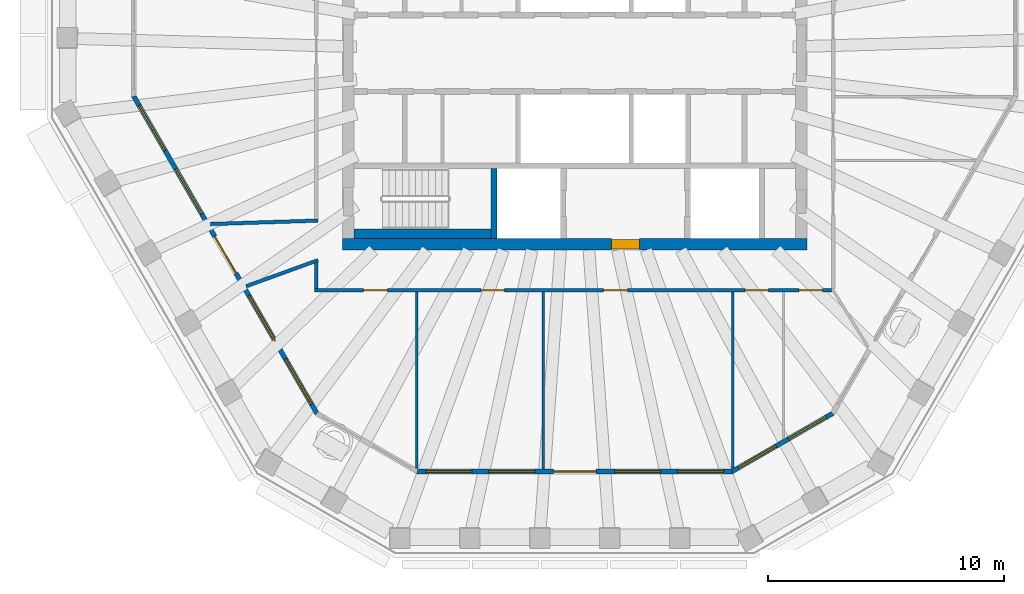
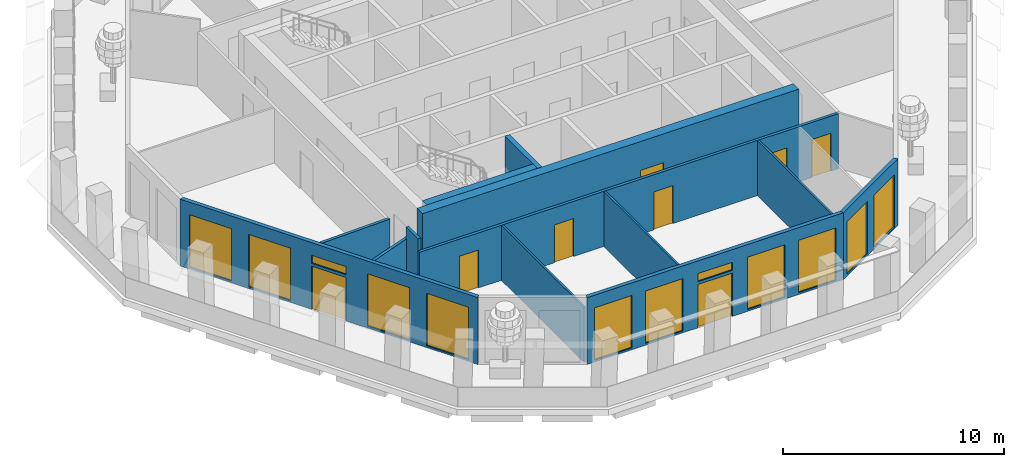
# One storey, part 3 of 11: 13 walls, 12 windows, 8 doors, 20 openings.
"""IFC4 building model written with IfcOpenShell, lengths in metres."""

import ifcopenshell
import ifcopenshell.guid

model = None  # the IFC model being written
_history = None  # IfcOwnerHistory: only IFC2X3 demands one
_inside = {}  # id of a spatial element -> (the spatial element, [elements in it])
_under = {}  # id of a project, library or spatial element -> (it, [spatial elements below it])
_declared = {}  # id of a project -> (the project, [libraries it declares])
_typed = {}  # id of a type object -> (the type object, [elements of that type])
_made_of = {}  # id of a material, layer set ... -> (it, [elements and type objects made of it])


def new_model(schema):
    """Start an empty IFC model of exactly this schema.

    Asked for "IFC4X3", IfcOpenShell would pick the latest addendum, in which some entities
    have other attributes; the version numbers below select the first issue.
    IFC2X3 requires an IfcOwnerHistory on every rooted entity: one is made here for all.
    """
    global model, _history
    if schema == "IFC4X3":
        model = ifcopenshell.file(schema_version=(4, 3, 0, 0))
    else:
        model = ifcopenshell.file(schema=schema)
    _inside.clear()
    _under.clear()
    _declared.clear()
    _typed.clear()
    _made_of.clear()
    _history = None
    if model.schema == "IFC2X3":
        org = make("IfcOrganization", Name="unknown")
        user = make(
            "IfcPersonAndOrganization",
            ThePerson=make("IfcPerson", FamilyName="unknown"),
            TheOrganization=org,
        )
        app = make(
            "IfcApplication",
            ApplicationDeveloper=org,
            Version="unknown",
            ApplicationFullName="unknown",
            ApplicationIdentifier="unknown",
        )
        _history = make(
            "IfcOwnerHistory",
            OwningUser=user,
            OwningApplication=app,
            ChangeAction="ADDED",
            CreationDate=0,
        )
    return model


def make(cls, **values):
    """One entity of the class cls with the attributes given. An attribute that is None is left unset."""
    return model.create_entity(
        cls, **{name: value for name, value in values.items() if value is not None}
    )


def rooted(cls, **values):
    """An entity with a GlobalId (a new one), such as an element, a storey or a relation."""
    return make(cls, GlobalId=ifcopenshell.guid.new(), OwnerHistory=_history, **values)


def si_unit(unit_type, name, prefix=None):
    """IfcSIUnit, for example si_unit("LENGTHUNIT", "METRE", prefix="MILLI")."""
    return make("IfcSIUnit", UnitType=unit_type, Prefix=prefix, Name=name)


def assignment(units):
    """IfcUnitAssignment: the units of a project."""
    return None if units is None else make("IfcUnitAssignment", Units=units)


def point(xyz):
    """IfcCartesianPoint."""
    return None if xyz is None else make("IfcCartesianPoint", Coordinates=xyz)


def direction(xyz):
    """IfcDirection."""
    return None if xyz is None else make("IfcDirection", DirectionRatios=xyz)


def frame(location, z_axis=None, x_axis=None):
    """IfcAxis2Placement3D, a coordinate frame: its origin and axes. An axis left out is left unset."""
    return make(
        "IfcAxis2Placement3D",
        Location=point(location),
        Axis=direction(z_axis),
        RefDirection=direction(x_axis),
    )


def frame_2d(location, x_axis=None):
    """IfcAxis2Placement2D, a coordinate frame in the plane: its origin and x axis."""
    return make(
        "IfcAxis2Placement2D", Location=point(location), RefDirection=direction(x_axis)
    )


def origin():
    """The frame at (0, 0, 0) with its axes left unset."""
    return frame((0.0, 0.0, 0.0))


def place(relative_to, where):
    """IfcLocalPlacement: puts the frame where relative to a parent placement (None: the world)."""
    return make(
        "IfcLocalPlacement", PlacementRelTo=relative_to, RelativePlacement=where
    )


def context(
    kind, dimensions, precision=None, world=None, true_north=None, identifier=None
):
    """IfcGeometricRepresentationContext, for example the 3D "Model" context."""
    return make(
        "IfcGeometricRepresentationContext",
        ContextIdentifier=identifier,
        ContextType=kind,
        CoordinateSpaceDimension=dimensions,
        Precision=precision,
        WorldCoordinateSystem=world,
        TrueNorth=true_north,
    )


def subcontext(parent, identifier, kind, view, scale=None):
    """IfcGeometricRepresentationSubContext, for example "Body" below "Model"."""
    return make(
        "IfcGeometricRepresentationSubContext",
        ContextIdentifier=identifier,
        ContextType=kind,
        ParentContext=parent,
        TargetScale=scale,
        TargetView=view,
    )


def project(units=None, contexts=None):
    """IfcProject with its units and contexts."""
    return rooted(
        "IfcProject",
        Name="project",
        RepresentationContexts=contexts,
        UnitsInContext=assignment(units),
    )


def spatial(cls, under=None, at=None, **own):
    """A site, building, storey or space (cls), placed at a placement, below another one or the project."""
    s = rooted(cls, ObjectPlacement=at, **own)
    if under is not None:
        _under.setdefault(under.id(), (under, []))[1].append(s)
    return s


def polyline(points):
    """IfcPolyline through the points."""
    return make("IfcPolyline", Points=[point(p) for p in points])


def profile(cls, at=None, kind="AREA", **sizes):
    """A parametric profile (cls). Its sizes go by their IFC names, for example OverallWidth=200.0."""
    return make(cls, ProfileType=kind, Position=at, **sizes)


def rectangle(**sizes):
    """IfcRectangleProfileDef."""
    return profile("IfcRectangleProfileDef", **sizes)


def outline(outer, holes=None, kind="AREA"):
    """IfcArbitraryClosedProfileDef: a profile drawn as a closed curve; with holes, ...WithVoids."""
    if holes is None:
        return make("IfcArbitraryClosedProfileDef", ProfileType=kind, OuterCurve=outer)
    return make(
        "IfcArbitraryProfileDefWithVoids",
        ProfileType=kind,
        OuterCurve=outer,
        InnerCurves=holes,
    )


def extrude(swept, where, along, depth):
    """IfcExtrudedAreaSolid: the profile swept, set in the frame where, extruded along a direction by depth."""
    return make(
        "IfcExtrudedAreaSolid",
        SweptArea=swept,
        Position=where,
        ExtrudedDirection=direction(along),
        Depth=depth,
    )


def shape(context_of_items, identifier, shape_type, items):
    """IfcShapeRepresentation: the items that make up one representation, for example the "Body"."""
    return make(
        "IfcShapeRepresentation",
        ContextOfItems=context_of_items,
        RepresentationIdentifier=identifier,
        RepresentationType=shape_type,
        Items=items,
    )


def material(Name=None, Category=None):
    """IfcMaterial."""
    return make("IfcMaterial", Name=Name, Category=Category)


def layer(
    of_material, thickness, ventilated=None, Name=None, Category=None, Priority=None
):
    """IfcMaterialLayer: one layer of a wall or slab, of a material (None: an air gap)."""
    return make(
        "IfcMaterialLayer",
        Material=of_material,
        LayerThickness=thickness,
        IsVentilated=ventilated,
        Name=Name,
        Category=Category,
        Priority=Priority,
    )


def layer_set(layers, Name=None):
    """IfcMaterialLayerSet."""
    return make("IfcMaterialLayerSet", MaterialLayers=layers, LayerSetName=Name)


def made_of(thing, what):
    """Note that an element or type object is made of a material, layer set ...; save() writes the relation."""
    if what is not None:
        _made_of.setdefault(what.id(), (what, []))[1].append(thing)
    return thing


def type_object(cls, material=None, **own):
    """A type object (cls), such as IfcWallType, which elements share."""
    return made_of(rooted(cls, **own), material)


def element(
    cls,
    number,
    at=None,
    inside=None,
    cuts=None,
    type_object=None,
    material=None,
    context=None,
    identifier="Body",
    shape_type=None,
    held_by="IfcProductDefinitionShape",
    body=None,
    shapes=None,
    **own,
):
    """One element of the class cls, such as IfcWall. Its Tag is "e" and its number.

    at: its placement. inside: the storey or other place that contains it. cuts: it is an
    opening in that element (IfcRelVoidsElement). A single representation is given by context,
    identifier, shape_type and body (its items); several are given by shapes. held_by: the class
    of the entity that holds the representations. save() writes the other relations.
    """
    e = rooted(cls, Tag="e%d" % number, ObjectPlacement=at, **own)
    if body is not None:
        shapes = [shape(context, identifier, shape_type, body)]
    if shapes is not None:
        e.Representation = make(held_by, Representations=shapes)
    if inside is not None:
        _inside.setdefault(inside.id(), (inside, []))[1].append(e)
    if cuts is not None:
        rooted(
            "IfcRelVoidsElement", RelatingBuildingElement=cuts, RelatedOpeningElement=e
        )
    if type_object is not None:
        _typed.setdefault(type_object.id(), (type_object, []))[1].append(e)
    return made_of(e, material)


def fill(opening, filler):
    """IfcRelFillsElement: the door or window that sits in an opening."""
    return rooted(
        "IfcRelFillsElement",
        RelatingOpeningElement=opening,
        RelatedBuildingElement=filler,
    )


def aggregate(whole, parts):
    """IfcRelAggregates: a whole, such as a stair, and the parts it consists of."""
    return rooted("IfcRelAggregates", RelatingObject=whole, RelatedObjects=parts)


def save(model, path):
    """Write the relations noted so far, then the file.

    IfcRelAggregates (storeys below a building ...), IfcRelContainedInSpatialStructure (elements
    in a storey), IfcRelDefinesByType, IfcRelAssociatesMaterial and IfcRelDeclares: one each for
    every whole, place, type object, material and project.
    """
    for whole, parts in _under.values():
        aggregate(whole, parts)
    for where, things in _inside.values():
        rooted(
            "IfcRelContainedInSpatialStructure",
            RelatedElements=things,
            RelatingStructure=where,
        )
    for kind, things in _typed.values():
        rooted("IfcRelDefinesByType", RelatedObjects=things, RelatingType=kind)
    for what, things in _made_of.values():
        rooted("IfcRelAssociatesMaterial", RelatedObjects=things, RelatingMaterial=what)
    for by, libraries in _declared.values():
        rooted("IfcRelDeclares", RelatingContext=by, RelatedDefinitions=libraries)
    model.write(path)


model = new_model("IFC4")

# Units and contexts
model_context = context("Model", 3, precision=1e-05, world=origin(), true_north=direction((0.0, 1.0)))
body_context = subcontext(model_context, "Body", "Model", "MODEL_VIEW")
ifc_project = project(units=[si_unit("LENGTHUNIT", "METRE"), si_unit("AREAUNIT", "SQUARE_METRE"), si_unit("VOLUMEUNIT", "CUBIC_METRE"), si_unit("PLANEANGLEUNIT", "RADIAN"), si_unit("MASSUNIT", "GRAM", prefix="KILO")], contexts=[model_context])

# Site, building, storey
site_placement = place(None, origin())
site = spatial("IfcSite", under=ifc_project, at=site_placement, CompositionType="ELEMENT")
building_placement = place(site_placement, origin())
building = spatial("IfcBuilding", under=site, at=building_placement, Name="Frailejon Research Tower", CompositionType="ELEMENT")
storey_placement = place(building_placement, frame((0.0, 0.0, 328.60009765625)))
storey = spatial("IfcBuildingStorey", under=building, at=storey_placement, Name="L73", CompositionType="ELEMENT", Elevation=328.60009765625)

# Wall, opening, door
ifc_material_1 = material(Name="Concrete C50/60", Category="concrete")
ifc_layer_1 = layer(ifc_material_1, 0.5)
ifc_layer_set_1 = layer_set([ifc_layer_1], Name="Core shear wall 500 C50/60")
wall_type_1 = type_object("IfcWallType", Name="Core shear wall 500 C50/60", PredefinedType="SHEAR", material=ifc_layer_set_1)
wall_1_placement = place(storey_placement, frame((-9.85009765625, -8.10009765625, 0.0), z_axis=(0.0, 0.0, 1.0), x_axis=(1.0, 0.0, 0.0)))
wall_1 = element("IfcWall", 1, at=wall_1_placement, inside=storey, type_object=wall_type_1, Name="Core shear wall", PredefinedType="SHEAR", context=body_context, shape_type="SweptSolid", body=[
    extrude(rectangle(XDim=19.7001953125, YDim=0.5, at=frame_2d((9.85009765625, 0.0))), origin(), (0.0, 0.0, 1.0), 3.699951171875),
])
opening_1_placement = place(wall_1_placement, frame((11.39990234375, 0.0, 0.0)))
opening_1 = element("IfcOpeningElement", 2, at=opening_1_placement, cuts=wall_1, Name="Opening D3", PredefinedType="OPENING", context=body_context, shape_type="SweptSolid", body=[
    extrude(rectangle(XDim=1.199951171875, YDim=2.10009765625, at=frame_2d((0.60009765625, 1.050048828125))), frame((0.0, 0.260009765625, 0.0), z_axis=(0.0, -1.0, 0.0), x_axis=(1.0, 0.0, 0.0)), (0.0, 0.0, 1.0), 0.52001953125),
])
ifc_material_2 = material(Name="Steel", Category="steel")
door_type_1 = type_object("IfcDoorType", Name="Firefighting lobby door", OperationType="SINGLE_SWING_LEFT", PredefinedType="DOOR", material=ifc_material_2)
door_1_placement = place(opening_1_placement, origin())
door_1 = element("IfcDoor", 3, at=door_1_placement, inside=storey, type_object=door_type_1, Name="Firefighting lobby door", OperationType="SINGLE_SWING_LEFT", OverallHeight=2.10009765625, OverallWidth=1.199951171875, PredefinedType="DOOR", context=body_context, shape_type="SweptSolid", body=[
    extrude(rectangle(XDim=1.199951171875, YDim=2.10009765625, at=frame_2d((0.60009765625, 1.050048828125))), frame((0.0, 0.199951171875, 0.0), z_axis=(0.0, -1.0, 0.0), x_axis=(1.0, 0.0, 0.0)), (0.0, 0.0, 1.0), 0.39990234375),
])
fill(opening_1, door_1)

# Wall
ifc_material_3 = material(Name="Gypsum board and masonry partition", Category="masonry")
ifc_layer_2 = layer(ifc_material_3, 0.14990234375)
ifc_layer_set_2 = layer_set([ifc_layer_2], Name="Corridor wall EI 60, gypsum on steel studs 150")
wall_type_2 = type_object("IfcWallType", Name="Corridor wall EI 60, gypsum on steel studs 150", PredefinedType="PARTITIONING", material=ifc_layer_set_2)
wall_2_placement = place(storey_placement, frame((-10.949951171875, -9.97509765625, 0.0), z_axis=(0.0, 0.0, 1.0), x_axis=(0.0, 1.0, 0.0)))
element("IfcWall", 4, at=wall_2_placement, inside=storey, type_object=wall_type_2, Name="T:IW:L73:006", PredefinedType="PARTITIONING", context=body_context, shape_type="SweptSolid", body=[
    extrude(rectangle(XDim=1.10009765625, YDim=0.14990234375, at=frame_2d((0.550048828125, 0.0))), origin(), (0.0, 0.0, 1.0), 3.699951171875),
])

# Wall, openings, doors
wall_3_placement = place(storey_placement, frame((-11.02490234375, -10.050048828125, 0.0), z_axis=(0.0, 0.0, 1.0), x_axis=(1.0, 0.0, 0.0)))
wall_3 = element("IfcWall", 5, at=wall_3_placement, inside=storey, type_object=wall_type_2, Name="T:IW:L73:008", PredefinedType="PARTITIONING", context=body_context, shape_type="SweptSolid", body=[
    extrude(rectangle(XDim=21.9248046875, YDim=0.14990234375, at=frame_2d((10.96240234375, 0.0))), origin(), (0.0, 0.0, 1.0), 3.0498046875),
])
opening_2_placement = place(wall_3_placement, frame((2.081787109375, 0.0, 0.0)))
opening_2 = element("IfcOpeningElement", 6, at=opening_2_placement, cuts=wall_3, Name="Opening D2373", PredefinedType="OPENING", context=body_context, shape_type="SweptSolid", body=[
    extrude(rectangle(XDim=1.0, YDim=2.10009765625, at=frame_2d((0.5, 1.050048828125))), frame((0.0, 0.0849609375, 0.0), z_axis=(0.0, -1.0, 0.0), x_axis=(1.0, 0.0, 0.0)), (0.0, 0.0, 1.0), 0.169921875),
])
opening_3_placement = place(wall_3_placement, frame((7.0537109375, 0.0, 0.0)))
opening_3 = element("IfcOpeningElement", 7, at=opening_3_placement, cuts=wall_3, Name="Opening D2374", PredefinedType="OPENING", context=body_context, shape_type="SweptSolid", body=[
    extrude(rectangle(XDim=1.0, YDim=2.10009765625, at=frame_2d((0.5, 1.050048828125))), frame((0.0, 0.0849609375, 0.0), z_axis=(0.0, -1.0, 0.0), x_axis=(1.0, 0.0, 0.0)), (0.0, 0.0, 1.0), 0.169921875),
])
opening_4_placement = place(wall_3_placement, frame((12.254150390625, 0.0, 0.0)))
opening_4 = element("IfcOpeningElement", 8, at=opening_4_placement, cuts=wall_3, Name="Opening D2375", PredefinedType="OPENING", context=body_context, shape_type="SweptSolid", body=[
    extrude(rectangle(XDim=1.0, YDim=2.10009765625, at=frame_2d((0.5, 1.050048828125))), frame((0.0, 0.0849609375, 0.0), z_axis=(0.0, -1.0, 0.0), x_axis=(1.0, 0.0, 0.0)), (0.0, 0.0, 1.0), 0.169921875),
])
opening_5_placement = place(wall_3_placement, frame((18.2333984375, 0.0, 0.0)))
opening_5 = element("IfcOpeningElement", 9, at=opening_5_placement, cuts=wall_3, Name="Opening D2376", PredefinedType="OPENING", context=body_context, shape_type="SweptSolid", body=[
    extrude(rectangle(XDim=1.0, YDim=2.10009765625, at=frame_2d((0.5, 1.050048828125))), frame((0.0, 0.0849609375, 0.0), z_axis=(0.0, -1.0, 0.0), x_axis=(1.0, 0.0, 0.0)), (0.0, 0.0, 1.0), 0.169921875),
])
opening_6_placement = place(wall_3_placement, frame((20.525146484375, 0.0, 0.0)))
opening_6 = element("IfcOpeningElement", 10, at=opening_6_placement, cuts=wall_3, Name="Opening D2377", PredefinedType="OPENING", context=body_context, shape_type="SweptSolid", body=[
    extrude(rectangle(XDim=1.0, YDim=2.10009765625, at=frame_2d((0.5, 1.050048828125))), frame((0.0, 0.0849609375, 0.0), z_axis=(0.0, -1.0, 0.0), x_axis=(1.0, 0.0, 0.0)), (0.0, 0.0, 1.0), 0.169921875),
])
ifc_material_4 = material(Name="Timber door leaf", Category="wood")
door_type_2 = type_object("IfcDoorType", Name="Door single leaf, timber, steel frame 1000", OperationType="NOTDEFINED", PredefinedType="DOOR", material=ifc_material_4)
door_2_placement = place(opening_2_placement, origin())
door_2 = element("IfcDoor", 11, at=door_2_placement, inside=storey, type_object=door_type_2, Name="D2373", OperationType="SINGLE_SWING_RIGHT", OverallHeight=2.10009765625, OverallWidth=1.0, PredefinedType="DOOR", context=body_context, shape_type="SweptSolid", body=[
    extrude(rectangle(XDim=1.0, YDim=2.10009765625, at=frame_2d((0.5, 1.050048828125))), frame((0.0, 0.02490234375, 0.0), z_axis=(0.0, -1.0, 0.0), x_axis=(1.0, 0.0, 0.0)), (0.0, 0.0, 1.0), 0.050048828125),
])
fill(opening_2, door_2)
door_3_placement = place(opening_3_placement, origin())
door_3 = element("IfcDoor", 12, at=door_3_placement, inside=storey, type_object=door_type_2, Name="D2374", OperationType="SINGLE_SWING_LEFT", OverallHeight=2.10009765625, OverallWidth=1.0, PredefinedType="DOOR", context=body_context, shape_type="SweptSolid", body=[
    extrude(rectangle(XDim=1.0, YDim=2.10009765625, at=frame_2d((0.5, 1.050048828125))), frame((0.0, 0.02490234375, 0.0), z_axis=(0.0, -1.0, 0.0), x_axis=(1.0, 0.0, 0.0)), (0.0, 0.0, 1.0), 0.050048828125),
])
fill(opening_3, door_3)
door_4_placement = place(opening_4_placement, origin())
door_4 = element("IfcDoor", 13, at=door_4_placement, inside=storey, type_object=door_type_2, Name="D2375", OperationType="SINGLE_SWING_LEFT", OverallHeight=2.10009765625, OverallWidth=1.0, PredefinedType="DOOR", context=body_context, shape_type="SweptSolid", body=[
    extrude(rectangle(XDim=1.0, YDim=2.10009765625, at=frame_2d((0.5, 1.050048828125))), frame((0.0, 0.02490234375, 0.0), z_axis=(0.0, -1.0, 0.0), x_axis=(1.0, 0.0, 0.0)), (0.0, 0.0, 1.0), 0.050048828125),
])
fill(opening_4, door_4)
door_5_placement = place(opening_5_placement, origin())
door_5 = element("IfcDoor", 14, at=door_5_placement, inside=storey, type_object=door_type_2, Name="D2376", OperationType="SINGLE_SWING_LEFT", OverallHeight=2.10009765625, OverallWidth=1.0, PredefinedType="DOOR", context=body_context, shape_type="SweptSolid", body=[
    extrude(rectangle(XDim=1.0, YDim=2.10009765625, at=frame_2d((0.5, 1.050048828125))), frame((0.0, 0.02490234375, 0.0), z_axis=(0.0, -1.0, 0.0), x_axis=(1.0, 0.0, 0.0)), (0.0, 0.0, 1.0), 0.050048828125),
])
fill(opening_5, door_5)
door_6_placement = place(opening_6_placement, origin())
door_6 = element("IfcDoor", 15, at=door_6_placement, inside=storey, type_object=door_type_2, Name="D2377", OperationType="SINGLE_SWING_RIGHT", OverallHeight=2.10009765625, OverallWidth=1.0, PredefinedType="DOOR", context=body_context, shape_type="SweptSolid", body=[
    extrude(rectangle(XDim=1.0, YDim=2.10009765625, at=frame_2d((0.5, 1.050048828125))), frame((0.0, 0.02490234375, 0.0), z_axis=(0.0, -1.0, 0.0), x_axis=(1.0, 0.0, 0.0)), (0.0, 0.0, 1.0), 0.050048828125),
])
fill(opening_6, door_6)

# Walls
wall_4_placement = place(storey_placement, frame((-15.44775390625, -7.24365234375, 0.0), z_axis=(0.0, 0.0, 1.0), x_axis=(0.999490710237, 0.031911128923, 0.0)))
element("IfcWall", 16, at=wall_4_placement, inside=storey, type_object=wall_type_2, Name="T:IW:L73:009", PredefinedType="PARTITIONING", context=body_context, shape_type="SweptSolid", body=[
    extrude(rectangle(XDim=4.5751953125, YDim=0.14990234375, at=frame_2d((2.28759765625, 0.0))), origin(), (0.0, 0.0, 1.0), 3.0498046875),
])
wall_5_placement = place(storey_placement, frame((-13.92578125, -9.8798828125, 0.0), z_axis=(0.0, 0.0, 1.0), x_axis=(0.940021965414, 0.341113917246, 0.0)))
element("IfcWall", 17, at=wall_5_placement, inside=storey, type_object=wall_type_2, Name="T:IW:L73:010", PredefinedType="PARTITIONING", context=body_context, shape_type="SweptSolid", body=[
    extrude(rectangle(XDim=3.24072265625, YDim=0.14990234375, at=frame_2d((1.620361328125, 0.0))), origin(), (0.0, 0.0, 1.0), 3.0498046875),
])
ifc_material_5 = material(Name="Gypsum board and masonry partition", Category="masonry")
ifc_layer_3 = layer(ifc_material_5, 0.10009765625)
ifc_layer_set_3 = layer_set([ifc_layer_3], Name="Partition, gypsum on steel studs 100")
wall_type_3 = type_object("IfcWallType", Name="Partition, gypsum on steel studs 100", PredefinedType="PARTITIONING", material=ifc_layer_set_3)
wall_6_placement = place(storey_placement, frame((-6.700927734375, -17.59765625, 0.0), z_axis=(0.0, 0.0, 1.0), x_axis=(0.0, 1.0, 0.0)))
element("IfcWall", 18, at=wall_6_placement, inside=storey, type_object=wall_type_3, Name="T:IW:L73:019", PredefinedType="PARTITIONING", context=body_context, shape_type="SweptSolid", body=[
    extrude(rectangle(XDim=7.47265625, YDim=0.10009765625, at=frame_2d((3.736328125, 0.0))), origin(), (0.0, 0.0, 1.0), 3.0498046875),
])
wall_7_placement = place(storey_placement, frame((-1.340087890625, -17.62841796875, 0.0), z_axis=(0.0, 0.0, 1.0), x_axis=(0.0, 1.0, 0.0)))
element("IfcWall", 19, at=wall_7_placement, inside=storey, type_object=wall_type_3, Name="T:IW:L73:020", PredefinedType="PARTITIONING", context=body_context, shape_type="SweptSolid", body=[
    extrude(rectangle(XDim=7.50341796875, YDim=0.10009765625, at=frame_2d((3.751708984375, 0.0))), origin(), (0.0, 0.0, 1.0), 3.0498046875),
])
wall_8_placement = place(storey_placement, frame((6.700927734375, -17.59765625, 0.0), z_axis=(0.0, 0.0, 1.0), x_axis=(0.0, 1.0, 0.0)))
element("IfcWall", 20, at=wall_8_placement, inside=storey, type_object=wall_type_3, Name="T:IW:L73:021", PredefinedType="PARTITIONING", context=body_context, shape_type="SweptSolid", body=[
    extrude(rectangle(XDim=7.47265625, YDim=0.10009765625, at=frame_2d((3.736328125, 0.0))), origin(), (0.0, 0.0, 1.0), 3.0498046875),
])
ifc_material_6 = material(Name="Concrete C50/60", Category="concrete")
ifc_layer_4 = layer(ifc_material_6, 0.25)
ifc_layer_set_4 = layer_set([ifc_layer_4], Name="Shaft wall 250 C50/60")
wall_type_4 = type_object("IfcWallType", Name="Shaft wall 250 C50/60", PredefinedType="SOLIDWALL", material=ifc_layer_set_4)
wall_9_placement = place(storey_placement, frame((-3.425048828125, -7.85009765625, 0.0), z_axis=(0.0, 0.0, 1.0), x_axis=(0.0, 1.0, 0.0)))
element("IfcWall", 21, at=wall_9_placement, inside=storey, type_object=wall_type_4, Name="Shaft wall", PredefinedType="SOLIDWALL", context=body_context, shape_type="SweptSolid", body=[
    extrude(rectangle(XDim=2.9501953125, YDim=0.25, at=frame_2d((1.47509765625, 0.0))), origin(), (0.0, 0.0, 1.0), 3.699951171875),
])
ifc_material_7 = material(Name="Concrete C50/60", Category="concrete")
ifc_layer_5 = layer(ifc_material_7, 0.39990234375)
ifc_layer_set_5 = layer_set([ifc_layer_5], Name="Shaft wall 400 C50/60")
wall_type_5 = type_object("IfcWallType", Name="Shaft wall 400 C50/60", PredefinedType="SOLIDWALL", material=ifc_layer_set_5)
wall_10_placement = place(storey_placement, frame((-9.35009765625, -7.64990234375, 0.0), z_axis=(0.0, 0.0, 1.0), x_axis=(1.0, 0.0, 0.0)))
element("IfcWall", 22, at=wall_10_placement, inside=storey, type_object=wall_type_5, Name="Shaft wall", PredefinedType="SOLIDWALL", context=body_context, shape_type="SweptSolid", body=[
    extrude(rectangle(XDim=5.800048828125, YDim=0.39990234375, at=frame_2d((2.89990234375, 0.0))), origin(), (0.0, 0.0, 1.0), 3.699951171875),
])

# Wall, openings, door, windows
ifc_material_8 = material(Name="Concrete C40/50 precast window wall panel", Category="concrete")
ifc_layer_6 = layer(ifc_material_8, 0.199951171875)
ifc_layer_set_6 = layer_set([ifc_layer_6], Name="Window wall 200")
wall_type_6 = type_object("IfcWallType", Name="Window wall 200", PredefinedType="SOLIDWALL", material=ifc_layer_set_6)
wall_11_placement = place(storey_placement, frame((-18.6904296875, -1.827392578125, 0.0), z_axis=(0.0, 0.0, 1.0), x_axis=(0.500001957507, -0.866024273614, 0.0)))
wall_11 = element("IfcWall", 23, at=wall_11_placement, inside=storey, type_object=wall_type_6, Name="Exterior wall L73", PredefinedType="SOLIDWALL", context=body_context, shape_type="SweptSolid", body=[
    extrude(outline(polyline([(-0.02685546875, -0.10009765625), (1.01171875, -0.10009765625), (2.05029296875, -0.10009765625), (3.0888671875, -0.10009765625), (4.127685546875, -0.10009765625), (5.166259765625, -0.10009765625), (6.204833984375, -0.10009765625), (7.243408203125, -0.10009765625), (8.281982421875, -0.10009765625), (9.320556640625, -0.10009765625), (10.359130859375, -0.10009765625), (11.397705078125, -0.10009765625), (12.4365234375, -0.10009765625), (13.47509765625, -0.10009765625), (14.513671875, -0.10009765625), (15.55224609375, -0.10009765625), (15.49853515625, 0.10009765625), (14.467041015625, 0.10009765625), (13.435546875, 0.10009765625), (12.404296875, 0.10009765625), (11.372802734375, 0.10009765625), (10.34130859375, 0.10009765625), (9.309814453125, 0.10009765625), (8.2783203125, 0.10009765625), (7.2470703125, 0.10009765625), (6.215576171875, 0.10009765625), (5.18408203125, 0.10009765625), (4.152587890625, 0.10009765625), (3.12109375, 0.10009765625), (2.08984375, 0.10009765625), (1.058349609375, 0.10009765625), (0.02685546875, 0.10009765625), (-0.02685546875, -0.10009765625)])), origin(), (0.0, 0.0, 1.0), 3.699951171875),
])
opening_7_placement = place(wall_11_placement, frame((0.452392578125, 0.0, 0.10009765625)))
opening_7 = element("IfcOpeningElement", 24, at=opening_7_placement, cuts=wall_11, Name="Opening W28", PredefinedType="OPENING", context=body_context, shape_type="SweptSolid", body=[
    extrude(rectangle(XDim=2.199951171875, YDim=2.89990234375, at=frame_2d((1.10009765625, 1.449951171875))), frame((0.0, 0.10986328125, 0.0), z_axis=(0.0, -1.0, 0.0), x_axis=(1.0, 0.0, 0.0)), (0.0, 0.0, 1.0), 0.219970703125),
])
opening_8_placement = place(wall_11_placement, frame((3.5576171875, 0.0, 0.10009765625)))
opening_8 = element("IfcOpeningElement", 25, at=opening_8_placement, cuts=wall_11, Name="Opening W28", PredefinedType="OPENING", context=body_context, shape_type="SweptSolid", body=[
    extrude(rectangle(XDim=2.199951171875, YDim=2.89990234375, at=frame_2d((1.10009765625, 1.449951171875))), frame((0.0, 0.10986328125, 0.0), z_axis=(0.0, -1.0, 0.0), x_axis=(1.0, 0.0, 0.0)), (0.0, 0.0, 1.0), 0.219970703125),
])
opening_9_placement = place(wall_11_placement, frame((6.86279296875, 0.0, 0.0)))
opening_9 = element("IfcOpeningElement", 26, at=opening_9_placement, cuts=wall_11, Name="Opening LG73-4", PredefinedType="OPENING", context=body_context, shape_type="SweptSolid", body=[
    extrude(rectangle(XDim=1.800048828125, YDim=2.39990234375, at=frame_2d((0.89990234375, 1.199951171875))), frame((0.0, 0.10986328125, 0.0), z_axis=(0.0, -1.0, 0.0), x_axis=(1.0, 0.0, 0.0)), (0.0, 0.0, 1.0), 0.219970703125),
])
opening_10_placement = place(wall_11_placement, frame((6.86279296875, 0.0, 2.550048828125)))
opening_10 = element("IfcOpeningElement", 27, at=opening_10_placement, cuts=wall_11, Name="Opening W1", PredefinedType="OPENING", context=body_context, shape_type="SweptSolid", body=[
    extrude(rectangle(XDim=1.800048828125, YDim=0.449951171875, at=frame_2d((0.89990234375, 0.22509765625))), frame((0.0, 0.10986328125, 0.0), z_axis=(0.0, -1.0, 0.0), x_axis=(1.0, 0.0, 0.0)), (0.0, 0.0, 1.0), 0.219970703125),
])
opening_11_placement = place(wall_11_placement, frame((9.767822265625, 0.0, 0.10009765625)))
opening_11 = element("IfcOpeningElement", 28, at=opening_11_placement, cuts=wall_11, Name="Opening W28", PredefinedType="OPENING", context=body_context, shape_type="SweptSolid", body=[
    extrude(rectangle(XDim=2.199951171875, YDim=2.89990234375, at=frame_2d((1.10009765625, 1.449951171875))), frame((0.0, 0.10986328125, 0.0), z_axis=(0.0, -1.0, 0.0), x_axis=(1.0, 0.0, 0.0)), (0.0, 0.0, 1.0), 0.219970703125),
])
opening_12_placement = place(wall_11_placement, frame((12.872802734375, 0.0, 0.10009765625)))
opening_12 = element("IfcOpeningElement", 29, at=opening_12_placement, cuts=wall_11, Name="Opening W28", PredefinedType="OPENING", context=body_context, shape_type="SweptSolid", body=[
    extrude(rectangle(XDim=2.199951171875, YDim=2.89990234375, at=frame_2d((1.10009765625, 1.449951171875))), frame((0.0, 0.10986328125, 0.0), z_axis=(0.0, -1.0, 0.0), x_axis=(1.0, 0.0, 0.0)), (0.0, 0.0, 1.0), 0.219970703125),
])
ifc_material_9 = material(Name="Aluminium framed glazed door leaf", Category="aluminium")
door_type_3 = type_object("IfcDoorType", Name="Loggia door 1800x2400", OperationType="DOUBLE_DOOR_SINGLE_SWING", PredefinedType="DOOR", material=ifc_material_9)
door_7_placement = place(opening_9_placement, origin())
door_7 = element("IfcDoor", 30, at=door_7_placement, inside=storey, type_object=door_type_3, Name="Door LG73-4", OperationType="DOUBLE_DOOR_SINGLE_SWING", OverallHeight=2.39990234375, OverallWidth=1.800048828125, PredefinedType="DOOR", context=body_context, shape_type="SweptSolid", body=[
    extrude(rectangle(XDim=1.800048828125, YDim=2.39990234375, at=frame_2d((0.89990234375, 1.199951171875))), frame((0.0, 0.02490234375, 0.0), z_axis=(0.0, -1.0, 0.0), x_axis=(1.0, 0.0, 0.0)), (0.0, 0.0, 1.0), 0.050048828125),
])
fill(opening_9, door_7)
ifc_material_10 = material(Name="Aluminium framed double glazing", Category="aluminium")
window_type_1 = type_object("IfcWindowType", Name="Window 1800x450", PartitioningType="SINGLE_PANEL", PredefinedType="WINDOW", material=ifc_material_10)
window_1_placement = place(opening_10_placement, origin())
window_1 = element("IfcWindow", 31, at=window_1_placement, inside=storey, type_object=window_type_1, Name="Window L73", OverallHeight=0.449951171875, OverallWidth=1.800048828125, PartitioningType="SINGLE_PANEL", PredefinedType="WINDOW", context=body_context, shape_type="SweptSolid", body=[
    extrude(rectangle(XDim=1.800048828125, YDim=0.449951171875, at=frame_2d((0.89990234375, 0.22509765625))), frame((0.0, 0.030029296875, 0.0), z_axis=(0.0, -1.0, 0.0), x_axis=(1.0, 0.0, 0.0)), (0.0, 0.0, 1.0), 0.06005859375),
])
fill(opening_10, window_1)
ifc_material_11 = material(Name="Aluminium framed double glazing", Category="aluminium")
window_type_2 = type_object("IfcWindowType", Name="Window 2200x2900", PartitioningType="SINGLE_PANEL", PredefinedType="WINDOW", material=ifc_material_11)
window_2_placement = place(opening_7_placement, origin())
window_2 = element("IfcWindow", 32, at=window_2_placement, inside=storey, type_object=window_type_2, Name="Window L73", OverallHeight=2.89990234375, OverallWidth=2.199951171875, PartitioningType="SINGLE_PANEL", PredefinedType="WINDOW", context=body_context, shape_type="SweptSolid", body=[
    extrude(rectangle(XDim=2.199951171875, YDim=2.89990234375, at=frame_2d((1.10009765625, 1.449951171875))), frame((0.0, 0.030029296875, 0.0), z_axis=(0.0, -1.0, 0.0), x_axis=(1.0, 0.0, 0.0)), (0.0, 0.0, 1.0), 0.06005859375),
])
fill(opening_7, window_2)
window_3_placement = place(opening_8_placement, origin())
window_3 = element("IfcWindow", 33, at=window_3_placement, inside=storey, type_object=window_type_2, Name="Window L73", OverallHeight=2.89990234375, OverallWidth=2.199951171875, PartitioningType="SINGLE_PANEL", PredefinedType="WINDOW", context=body_context, shape_type="SweptSolid", body=[
    extrude(rectangle(XDim=2.199951171875, YDim=2.89990234375, at=frame_2d((1.10009765625, 1.449951171875))), frame((0.0, 0.030029296875, 0.0), z_axis=(0.0, -1.0, 0.0), x_axis=(1.0, 0.0, 0.0)), (0.0, 0.0, 1.0), 0.06005859375),
])
fill(opening_8, window_3)
window_4_placement = place(opening_11_placement, origin())
window_4 = element("IfcWindow", 34, at=window_4_placement, inside=storey, type_object=window_type_2, Name="Window L73", OverallHeight=2.89990234375, OverallWidth=2.199951171875, PartitioningType="SINGLE_PANEL", PredefinedType="WINDOW", context=body_context, shape_type="SweptSolid", body=[
    extrude(rectangle(XDim=2.199951171875, YDim=2.89990234375, at=frame_2d((1.10009765625, 1.449951171875))), frame((0.0, 0.030029296875, 0.0), z_axis=(0.0, -1.0, 0.0), x_axis=(1.0, 0.0, 0.0)), (0.0, 0.0, 1.0), 0.06005859375),
])
fill(opening_11, window_4)
window_5_placement = place(opening_12_placement, origin())
window_5 = element("IfcWindow", 35, at=window_5_placement, inside=storey, type_object=window_type_2, Name="Window L73", OverallHeight=2.89990234375, OverallWidth=2.199951171875, PartitioningType="SINGLE_PANEL", PredefinedType="WINDOW", context=body_context, shape_type="SweptSolid", body=[
    extrude(rectangle(XDim=2.199951171875, YDim=2.89990234375, at=frame_2d((1.10009765625, 1.449951171875))), frame((0.0, 0.030029296875, 0.0), z_axis=(0.0, -1.0, 0.0), x_axis=(1.0, 0.0, 0.0)), (0.0, 0.0, 1.0), 0.06005859375),
])
fill(opening_12, window_5)

wall_12_placement = place(storey_placement, frame((-6.674072265625, -17.728515625, 0.0), z_axis=(0.0, 0.0, 1.0), x_axis=(1.0, 0.0, 0.0)))
wall_12 = element("IfcWall", 36, at=wall_12_placement, inside=storey, type_object=wall_type_6, Name="Exterior wall L73", PredefinedType="SOLIDWALL", context=body_context, shape_type="SweptSolid", body=[
    extrude(outline(polyline([(-0.02685546875, -0.10009765625), (1.004150390625, -0.10009765625), (2.034912109375, -0.10009765625), (3.06591796875, -0.10009765625), (4.0966796875, -0.10009765625), (5.127685546875, -0.10009765625), (6.15869140625, -0.10009765625), (7.189453125, -0.10009765625), (8.220458984375, -0.10009765625), (9.25146484375, -0.10009765625), (10.2822265625, -0.10009765625), (11.313232421875, -0.10009765625), (12.343994140625, -0.10009765625), (13.375, -0.10009765625), (13.3212890625, 0.10009765625), (12.298583984375, 0.10009765625), (11.27587890625, 0.10009765625), (10.25341796875, 0.10009765625), (9.230712890625, 0.10009765625), (8.2080078125, 0.10009765625), (7.185302734375, 0.10009765625), (6.162841796875, 0.10009765625), (5.14013671875, 0.10009765625), (4.117431640625, 0.10009765625), (3.0947265625, 0.10009765625), (2.072265625, 0.10009765625), (1.049560546875, 0.10009765625), (0.02685546875, 0.10009765625), (-0.02685546875, -0.10009765625)])), origin(), (0.0, 0.0, 1.0), 3.699951171875),
])
opening_13_placement = place(wall_12_placement, frame((0.35986328125, 0.0, 0.10009765625)))
opening_13 = element("IfcOpeningElement", 37, at=opening_13_placement, cuts=wall_12, Name="Opening W27", PredefinedType="OPENING", context=body_context, shape_type="SweptSolid", body=[
    extrude(rectangle(XDim=1.949951171875, YDim=2.89990234375, at=frame_2d((0.97509765625, 1.449951171875))), frame((0.0, 0.10986328125, 0.0), z_axis=(0.0, -1.0, 0.0), x_axis=(1.0, 0.0, 0.0)), (0.0, 0.0, 1.0), 0.219970703125),
])
opening_14_placement = place(wall_12_placement, frame((3.029541015625, 0.0, 0.10009765625)))
opening_14 = element("IfcOpeningElement", 38, at=opening_14_placement, cuts=wall_12, Name="Opening W27", PredefinedType="OPENING", context=body_context, shape_type="SweptSolid", body=[
    extrude(rectangle(XDim=1.949951171875, YDim=2.89990234375, at=frame_2d((0.97509765625, 1.449951171875))), frame((0.0, 0.10986328125, 0.0), z_axis=(0.0, -1.0, 0.0), x_axis=(1.0, 0.0, 0.0)), (0.0, 0.0, 1.0), 0.219970703125),
])
opening_15_placement = place(wall_12_placement, frame((5.774169921875, 0.0, 0.0)))
opening_15 = element("IfcOpeningElement", 39, at=opening_15_placement, cuts=wall_12, Name="Opening LG73-5", PredefinedType="OPENING", context=body_context, shape_type="SweptSolid", body=[
    extrude(rectangle(XDim=1.800048828125, YDim=2.39990234375, at=frame_2d((0.89990234375, 1.199951171875))), frame((0.0, 0.10986328125, 0.0), z_axis=(0.0, -1.0, 0.0), x_axis=(1.0, 0.0, 0.0)), (0.0, 0.0, 1.0), 0.219970703125),
])
opening_16_placement = place(wall_12_placement, frame((5.774169921875, 0.0, 2.550048828125)))
opening_16 = element("IfcOpeningElement", 40, at=opening_16_placement, cuts=wall_12, Name="Opening W1", PredefinedType="OPENING", context=body_context, shape_type="SweptSolid", body=[
    extrude(rectangle(XDim=1.800048828125, YDim=0.449951171875, at=frame_2d((0.89990234375, 0.22509765625))), frame((0.0, 0.10986328125, 0.0), z_axis=(0.0, -1.0, 0.0), x_axis=(1.0, 0.0, 0.0)), (0.0, 0.0, 1.0), 0.219970703125),
])
opening_17_placement = place(wall_12_placement, frame((8.36865234375, 0.0, 0.10009765625)))
opening_17 = element("IfcOpeningElement", 41, at=opening_17_placement, cuts=wall_12, Name="Opening W27", PredefinedType="OPENING", context=body_context, shape_type="SweptSolid", body=[
    extrude(rectangle(XDim=1.949951171875, YDim=2.89990234375, at=frame_2d((0.97509765625, 1.449951171875))), frame((0.0, 0.10986328125, 0.0), z_axis=(0.0, -1.0, 0.0), x_axis=(1.0, 0.0, 0.0)), (0.0, 0.0, 1.0), 0.219970703125),
])
opening_18_placement = place(wall_12_placement, frame((11.038330078125, 0.0, 0.10009765625)))
opening_18 = element("IfcOpeningElement", 42, at=opening_18_placement, cuts=wall_12, Name="Opening W27", PredefinedType="OPENING", context=body_context, shape_type="SweptSolid", body=[
    extrude(rectangle(XDim=1.949951171875, YDim=2.89990234375, at=frame_2d((0.97509765625, 1.449951171875))), frame((0.0, 0.10986328125, 0.0), z_axis=(0.0, -1.0, 0.0), x_axis=(1.0, 0.0, 0.0)), (0.0, 0.0, 1.0), 0.219970703125),
])
door_8_placement = place(opening_15_placement, origin())
door_8 = element("IfcDoor", 43, at=door_8_placement, inside=storey, type_object=door_type_3, Name="Door LG73-5", OperationType="DOUBLE_DOOR_SINGLE_SWING", OverallHeight=2.39990234375, OverallWidth=1.800048828125, PredefinedType="DOOR", context=body_context, shape_type="SweptSolid", body=[
    extrude(rectangle(XDim=1.800048828125, YDim=2.39990234375, at=frame_2d((0.89990234375, 1.199951171875))), frame((0.0, 0.02490234375, 0.0), z_axis=(0.0, -1.0, 0.0), x_axis=(1.0, 0.0, 0.0)), (0.0, 0.0, 1.0), 0.050048828125),
])
fill(opening_15, door_8)
window_6_placement = place(opening_16_placement, origin())
window_6 = element("IfcWindow", 44, at=window_6_placement, inside=storey, type_object=window_type_1, Name="Window L73", OverallHeight=0.449951171875, OverallWidth=1.800048828125, PartitioningType="SINGLE_PANEL", PredefinedType="WINDOW", context=body_context, shape_type="SweptSolid", body=[
    extrude(rectangle(XDim=1.800048828125, YDim=0.449951171875, at=frame_2d((0.89990234375, 0.22509765625))), frame((0.0, 0.030029296875, 0.0), z_axis=(0.0, -1.0, 0.0), x_axis=(1.0, 0.0, 0.0)), (0.0, 0.0, 1.0), 0.06005859375),
])
fill(opening_16, window_6)
ifc_material_12 = material(Name="Aluminium framed double glazing", Category="aluminium")
window_type_3 = type_object("IfcWindowType", Name="Window 1950x2900", PartitioningType="SINGLE_PANEL", PredefinedType="WINDOW", material=ifc_material_12)
window_7_placement = place(opening_13_placement, origin())
window_7 = element("IfcWindow", 45, at=window_7_placement, inside=storey, type_object=window_type_3, Name="Window L73", OverallHeight=2.89990234375, OverallWidth=1.949951171875, PartitioningType="SINGLE_PANEL", PredefinedType="WINDOW", context=body_context, shape_type="SweptSolid", body=[
    extrude(rectangle(XDim=1.949951171875, YDim=2.89990234375, at=frame_2d((0.97509765625, 1.449951171875))), frame((0.0, 0.030029296875, 0.0), z_axis=(0.0, -1.0, 0.0), x_axis=(1.0, 0.0, 0.0)), (0.0, 0.0, 1.0), 0.06005859375),
])
fill(opening_13, window_7)
window_8_placement = place(opening_14_placement, origin())
window_8 = element("IfcWindow", 46, at=window_8_placement, inside=storey, type_object=window_type_3, Name="Window L73", OverallHeight=2.89990234375, OverallWidth=1.949951171875, PartitioningType="SINGLE_PANEL", PredefinedType="WINDOW", context=body_context, shape_type="SweptSolid", body=[
    extrude(rectangle(XDim=1.949951171875, YDim=2.89990234375, at=frame_2d((0.97509765625, 1.449951171875))), frame((0.0, 0.030029296875, 0.0), z_axis=(0.0, -1.0, 0.0), x_axis=(1.0, 0.0, 0.0)), (0.0, 0.0, 1.0), 0.06005859375),
])
fill(opening_14, window_8)
window_9_placement = place(opening_17_placement, origin())
window_9 = element("IfcWindow", 47, at=window_9_placement, inside=storey, type_object=window_type_3, Name="Window L73", OverallHeight=2.89990234375, OverallWidth=1.949951171875, PartitioningType="SINGLE_PANEL", PredefinedType="WINDOW", context=body_context, shape_type="SweptSolid", body=[
    extrude(rectangle(XDim=1.949951171875, YDim=2.89990234375, at=frame_2d((0.97509765625, 1.449951171875))), frame((0.0, 0.030029296875, 0.0), z_axis=(0.0, -1.0, 0.0), x_axis=(1.0, 0.0, 0.0)), (0.0, 0.0, 1.0), 0.06005859375),
])
fill(opening_17, window_9)
window_10_placement = place(opening_18_placement, origin())
window_10 = element("IfcWindow", 48, at=window_10_placement, inside=storey, type_object=window_type_3, Name="Window L73", OverallHeight=2.89990234375, OverallWidth=1.949951171875, PartitioningType="SINGLE_PANEL", PredefinedType="WINDOW", context=body_context, shape_type="SweptSolid", body=[
    extrude(rectangle(XDim=1.949951171875, YDim=2.89990234375, at=frame_2d((0.97509765625, 1.449951171875))), frame((0.0, 0.030029296875, 0.0), z_axis=(0.0, -1.0, 0.0), x_axis=(1.0, 0.0, 0.0)), (0.0, 0.0, 1.0), 0.06005859375),
])
fill(opening_18, window_10)

# Wall, openings, windows
wall_13_placement = place(storey_placement, frame((6.674072265625, -17.728515625, 0.0), z_axis=(0.0, 0.0, 1.0), x_axis=(0.866029143232, 0.499993523031, 0.0)))
wall_13 = element("IfcWall", 49, at=wall_13_placement, inside=storey, type_object=wall_type_6, Name="Exterior wall L73", PredefinedType="SOLIDWALL", context=body_context, shape_type="SweptSolid", body=[
    extrude(outline(polyline([(-0.02685546875, -0.10009765625), (1.21435546875, -0.10009765625), (2.455810546875, -0.10009765625), (3.697265625, -0.10009765625), (4.9384765625, -0.10009765625), (4.884765625, 0.10009765625), (3.67041015625, 0.10009765625), (2.455810546875, 0.10009765625), (1.2412109375, 0.10009765625), (0.02685546875, 0.10009765625), (-0.02685546875, -0.10009765625)])), origin(), (0.0, 0.0, 1.0), 3.699951171875),
])
opening_19_placement = place(wall_13_placement, frame((0.302978515625, 0.0, 0.10009765625)))
opening_19 = element("IfcOpeningElement", 50, at=opening_19_placement, cuts=wall_13, Name="Opening W26", PredefinedType="OPENING", context=body_context, shape_type="SweptSolid", body=[
    extrude(rectangle(XDim=1.85009765625, YDim=2.89990234375, at=frame_2d((0.925048828125, 1.449951171875))), frame((0.0, 0.10986328125, 0.0), z_axis=(0.0, -1.0, 0.0), x_axis=(1.0, 0.0, 0.0)), (0.0, 0.0, 1.0), 0.219970703125),
])
opening_20_placement = place(wall_13_placement, frame((2.7587890625, 0.0, 0.10009765625)))
opening_20 = element("IfcOpeningElement", 51, at=opening_20_placement, cuts=wall_13, Name="Opening W26", PredefinedType="OPENING", context=body_context, shape_type="SweptSolid", body=[
    extrude(rectangle(XDim=1.85009765625, YDim=2.89990234375, at=frame_2d((0.925048828125, 1.449951171875))), frame((0.0, 0.10986328125, 0.0), z_axis=(0.0, -1.0, 0.0), x_axis=(1.0, 0.0, 0.0)), (0.0, 0.0, 1.0), 0.219970703125),
])
ifc_material_13 = material(Name="Aluminium framed double glazing", Category="aluminium")
window_type_4 = type_object("IfcWindowType", Name="Window 1850x2900", PartitioningType="SINGLE_PANEL", PredefinedType="WINDOW", material=ifc_material_13)
window_11_placement = place(opening_19_placement, origin())
window_11 = element("IfcWindow", 52, at=window_11_placement, inside=storey, type_object=window_type_4, Name="Window L73", OverallHeight=2.89990234375, OverallWidth=1.85009765625, PartitioningType="SINGLE_PANEL", PredefinedType="WINDOW", context=body_context, shape_type="SweptSolid", body=[
    extrude(rectangle(XDim=1.85009765625, YDim=2.89990234375, at=frame_2d((0.925048828125, 1.449951171875))), frame((0.0, 0.030029296875, 0.0), z_axis=(0.0, -1.0, 0.0), x_axis=(1.0, 0.0, 0.0)), (0.0, 0.0, 1.0), 0.06005859375),
])
fill(opening_19, window_11)
window_12_placement = place(opening_20_placement, origin())
window_12 = element("IfcWindow", 53, at=window_12_placement, inside=storey, type_object=window_type_4, Name="Window L73", OverallHeight=2.89990234375, OverallWidth=1.85009765625, PartitioningType="SINGLE_PANEL", PredefinedType="WINDOW", context=body_context, shape_type="SweptSolid", body=[
    extrude(rectangle(XDim=1.85009765625, YDim=2.89990234375, at=frame_2d((0.925048828125, 1.449951171875))), frame((0.0, 0.030029296875, 0.0), z_axis=(0.0, -1.0, 0.0), x_axis=(1.0, 0.0, 0.0)), (0.0, 0.0, 1.0), 0.06005859375),
])
fill(opening_20, window_12)

save(model, "model.ifc")
